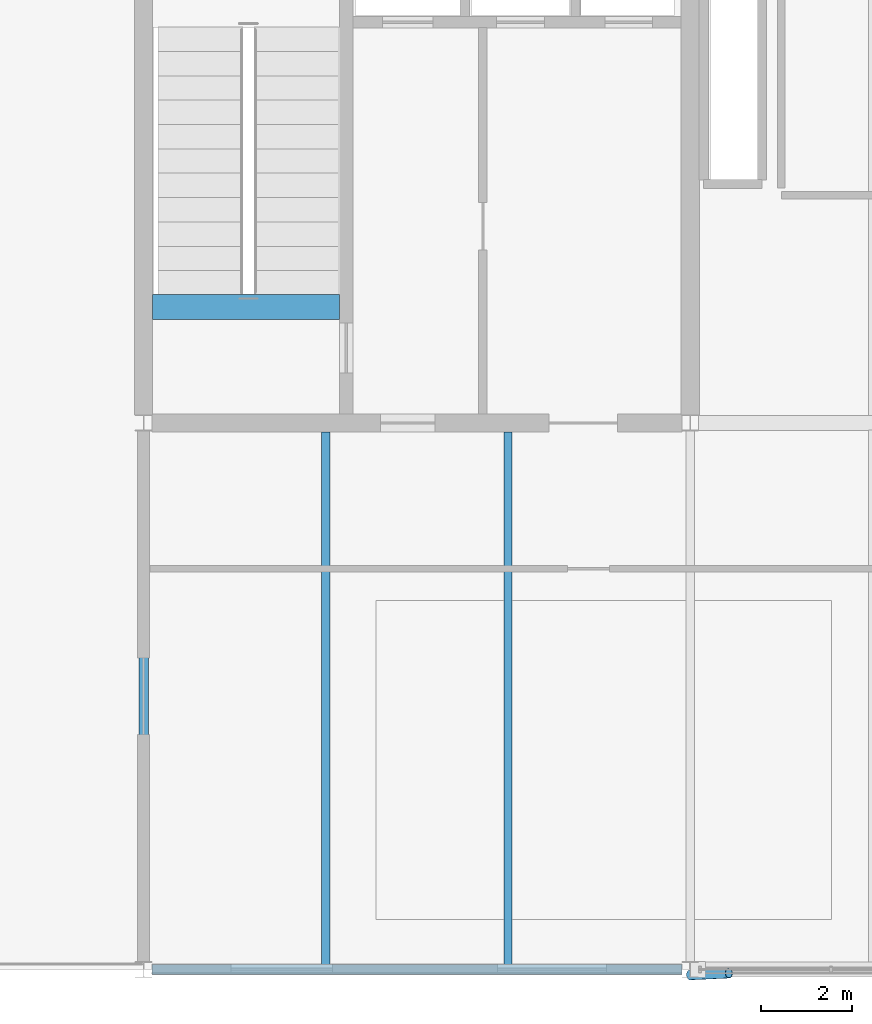
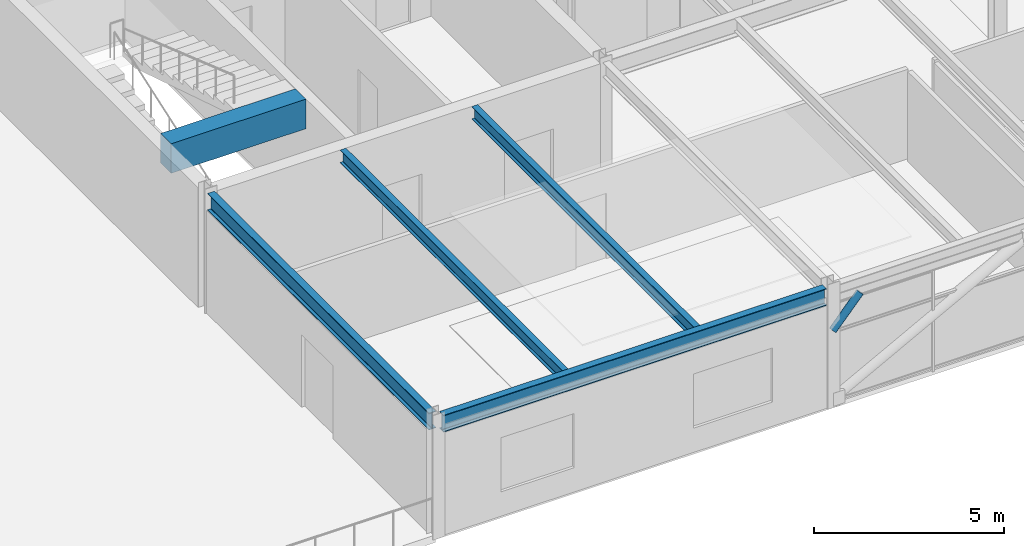
# One storey, part 4 of 32: 5 beams, 1 member.
"""IFC4 building model written with IfcOpenShell, lengths in metres."""

import ifcopenshell
import ifcopenshell.guid

model = None  # the IFC model being written
_history = None  # IfcOwnerHistory: only IFC2X3 demands one
_inside = {}  # id of a spatial element -> (the spatial element, [elements in it])
_under = {}  # id of a project, library or spatial element -> (it, [spatial elements below it])
_declared = {}  # id of a project -> (the project, [libraries it declares])
_typed = {}  # id of a type object -> (the type object, [elements of that type])
_made_of = {}  # id of a material, layer set ... -> (it, [elements and type objects made of it])


def new_model(schema):
    """Start an empty IFC model of exactly this schema.

    Asked for "IFC4X3", IfcOpenShell would pick the latest addendum, in which some entities
    have other attributes; the version numbers below select the first issue.
    IFC2X3 requires an IfcOwnerHistory on every rooted entity: one is made here for all.
    """
    global model, _history
    if schema == "IFC4X3":
        model = ifcopenshell.file(schema_version=(4, 3, 0, 0))
    else:
        model = ifcopenshell.file(schema=schema)
    _inside.clear()
    _under.clear()
    _declared.clear()
    _typed.clear()
    _made_of.clear()
    _history = None
    if model.schema == "IFC2X3":
        org = make("IfcOrganization", Name="unknown")
        user = make(
            "IfcPersonAndOrganization",
            ThePerson=make("IfcPerson", FamilyName="unknown"),
            TheOrganization=org,
        )
        app = make(
            "IfcApplication",
            ApplicationDeveloper=org,
            Version="unknown",
            ApplicationFullName="unknown",
            ApplicationIdentifier="unknown",
        )
        _history = make(
            "IfcOwnerHistory",
            OwningUser=user,
            OwningApplication=app,
            ChangeAction="ADDED",
            CreationDate=0,
        )
    return model


def make(cls, **values):
    """One entity of the class cls with the attributes given. An attribute that is None is left unset."""
    return model.create_entity(
        cls, **{name: value for name, value in values.items() if value is not None}
    )


def rooted(cls, **values):
    """An entity with a GlobalId (a new one), such as an element, a storey or a relation."""
    return make(cls, GlobalId=ifcopenshell.guid.new(), OwnerHistory=_history, **values)


def si_unit(unit_type, name, prefix=None):
    """IfcSIUnit, for example si_unit("LENGTHUNIT", "METRE", prefix="MILLI")."""
    return make("IfcSIUnit", UnitType=unit_type, Prefix=prefix, Name=name)


def assignment(units):
    """IfcUnitAssignment: the units of a project."""
    return None if units is None else make("IfcUnitAssignment", Units=units)


def point(xyz):
    """IfcCartesianPoint."""
    return None if xyz is None else make("IfcCartesianPoint", Coordinates=xyz)


def direction(xyz):
    """IfcDirection."""
    return None if xyz is None else make("IfcDirection", DirectionRatios=xyz)


def frame(location, z_axis=None, x_axis=None):
    """IfcAxis2Placement3D, a coordinate frame: its origin and axes. An axis left out is left unset."""
    return make(
        "IfcAxis2Placement3D",
        Location=point(location),
        Axis=direction(z_axis),
        RefDirection=direction(x_axis),
    )


def frame_2d(location, x_axis=None):
    """IfcAxis2Placement2D, a coordinate frame in the plane: its origin and x axis."""
    return make(
        "IfcAxis2Placement2D", Location=point(location), RefDirection=direction(x_axis)
    )


def origin():
    """The frame at (0, 0, 0) with its axes left unset."""
    return frame((0.0, 0.0, 0.0))


def origin_2d():
    """The frame at (0, 0) in the plane with its x axis left unset."""
    return frame_2d((0.0, 0.0))


def place(relative_to, where):
    """IfcLocalPlacement: puts the frame where relative to a parent placement (None: the world)."""
    return make(
        "IfcLocalPlacement", PlacementRelTo=relative_to, RelativePlacement=where
    )


def context(
    kind, dimensions, precision=None, world=None, true_north=None, identifier=None
):
    """IfcGeometricRepresentationContext, for example the 3D "Model" context."""
    return make(
        "IfcGeometricRepresentationContext",
        ContextIdentifier=identifier,
        ContextType=kind,
        CoordinateSpaceDimension=dimensions,
        Precision=precision,
        WorldCoordinateSystem=world,
        TrueNorth=true_north,
    )


def subcontext(parent, identifier, kind, view, scale=None):
    """IfcGeometricRepresentationSubContext, for example "Body" below "Model"."""
    return make(
        "IfcGeometricRepresentationSubContext",
        ContextIdentifier=identifier,
        ContextType=kind,
        ParentContext=parent,
        TargetScale=scale,
        TargetView=view,
    )


def project(units=None, contexts=None):
    """IfcProject with its units and contexts."""
    return rooted(
        "IfcProject",
        Name="project",
        RepresentationContexts=contexts,
        UnitsInContext=assignment(units),
    )


def spatial(cls, under=None, at=None, **own):
    """A site, building, storey or space (cls), placed at a placement, below another one or the project."""
    s = rooted(cls, ObjectPlacement=at, **own)
    if under is not None:
        _under.setdefault(under.id(), (under, []))[1].append(s)
    return s


def profile(cls, at=None, kind="AREA", **sizes):
    """A parametric profile (cls). Its sizes go by their IFC names, for example OverallWidth=200.0."""
    return make(cls, ProfileType=kind, Position=at, **sizes)


def rectangle(**sizes):
    """IfcRectangleProfileDef."""
    return profile("IfcRectangleProfileDef", **sizes)


def hollow_circle(**sizes):
    """IfcCircleHollowProfileDef."""
    return profile("IfcCircleHollowProfileDef", **sizes)


def i_section(**sizes):
    """IfcIShapeProfileDef."""
    return profile("IfcIShapeProfileDef", **sizes)


def extrude(swept, where, along, depth):
    """IfcExtrudedAreaSolid: the profile swept, set in the frame where, extruded along a direction by depth."""
    return make(
        "IfcExtrudedAreaSolid",
        SweptArea=swept,
        Position=where,
        ExtrudedDirection=direction(along),
        Depth=depth,
    )


def shape(context_of_items, identifier, shape_type, items):
    """IfcShapeRepresentation: the items that make up one representation, for example the "Body"."""
    return make(
        "IfcShapeRepresentation",
        ContextOfItems=context_of_items,
        RepresentationIdentifier=identifier,
        RepresentationType=shape_type,
        Items=items,
    )


def material(Name=None, Category=None):
    """IfcMaterial."""
    return make("IfcMaterial", Name=Name, Category=Category)


def material_profile(
    of_material, cross_section, Name=None, Category=None, Priority=None
):
    """IfcMaterialProfile: a cross section and its material."""
    return make(
        "IfcMaterialProfile",
        Name=Name,
        Material=of_material,
        Profile=cross_section,
        Priority=Priority,
        Category=Category,
    )


def profile_set(profiles, Name=None, composite=None):
    """IfcMaterialProfileSet."""
    return make(
        "IfcMaterialProfileSet",
        Name=Name,
        MaterialProfiles=profiles,
        CompositeProfile=composite,
    )


def made_of(thing, what):
    """Note that an element or type object is made of a material, layer set ...; save() writes the relation."""
    if what is not None:
        _made_of.setdefault(what.id(), (what, []))[1].append(thing)
    return thing


def type_object(cls, material=None, **own):
    """A type object (cls), such as IfcWallType, which elements share."""
    return made_of(rooted(cls, **own), material)


def element(
    cls,
    number,
    at=None,
    inside=None,
    cuts=None,
    type_object=None,
    material=None,
    context=None,
    identifier="Body",
    shape_type=None,
    held_by="IfcProductDefinitionShape",
    body=None,
    shapes=None,
    **own,
):
    """One element of the class cls, such as IfcWall. Its Tag is "e" and its number.

    at: its placement. inside: the storey or other place that contains it. cuts: it is an
    opening in that element (IfcRelVoidsElement). A single representation is given by context,
    identifier, shape_type and body (its items); several are given by shapes. held_by: the class
    of the entity that holds the representations. save() writes the other relations.
    """
    e = rooted(cls, Tag="e%d" % number, ObjectPlacement=at, **own)
    if body is not None:
        shapes = [shape(context, identifier, shape_type, body)]
    if shapes is not None:
        e.Representation = make(held_by, Representations=shapes)
    if inside is not None:
        _inside.setdefault(inside.id(), (inside, []))[1].append(e)
    if cuts is not None:
        rooted(
            "IfcRelVoidsElement", RelatingBuildingElement=cuts, RelatedOpeningElement=e
        )
    if type_object is not None:
        _typed.setdefault(type_object.id(), (type_object, []))[1].append(e)
    return made_of(e, material)


def aggregate(whole, parts):
    """IfcRelAggregates: a whole, such as a stair, and the parts it consists of."""
    return rooted("IfcRelAggregates", RelatingObject=whole, RelatedObjects=parts)


def save(model, path):
    """Write the relations noted so far, then the file.

    IfcRelAggregates (storeys below a building ...), IfcRelContainedInSpatialStructure (elements
    in a storey), IfcRelDefinesByType, IfcRelAssociatesMaterial and IfcRelDeclares: one each for
    every whole, place, type object, material and project.
    """
    for whole, parts in _under.values():
        aggregate(whole, parts)
    for where, things in _inside.values():
        rooted(
            "IfcRelContainedInSpatialStructure",
            RelatedElements=things,
            RelatingStructure=where,
        )
    for kind, things in _typed.values():
        rooted("IfcRelDefinesByType", RelatedObjects=things, RelatingType=kind)
    for what, things in _made_of.values():
        rooted("IfcRelAssociatesMaterial", RelatedObjects=things, RelatingMaterial=what)
    for by, libraries in _declared.values():
        rooted("IfcRelDeclares", RelatingContext=by, RelatedDefinitions=libraries)
    model.write(path)


model = new_model("IFC4")

# Units and contexts
model_context = context("Model", 3, precision=1e-05, world=origin(), true_north=direction((0.0, 1.0)))
body_context = subcontext(model_context, "Body", "Model", "MODEL_VIEW")
ifc_project = project(units=[si_unit("LENGTHUNIT", "METRE"), si_unit("AREAUNIT", "SQUARE_METRE"), si_unit("VOLUMEUNIT", "CUBIC_METRE"), si_unit("PLANEANGLEUNIT", "RADIAN"), si_unit("MASSUNIT", "GRAM", prefix="KILO")], contexts=[model_context])

# Site, building, storey
site_placement = place(None, origin())
site = spatial("IfcSite", under=ifc_project, at=site_placement, CompositionType="ELEMENT")
building_placement = place(site_placement, origin())
building = spatial("IfcBuilding", under=site, at=building_placement, Name="Girod Span Mobility Hub", CompositionType="ELEMENT")
storey_placement = place(building_placement, frame((0.0, 0.0, 61.60009765625)))
storey = spatial("IfcBuildingStorey", under=building, at=storey_placement, Name="L15", CompositionType="ELEMENT", Elevation=61.60009765625)

# Beams
ifc_material_1 = material(Name="Concrete C40/50", Category="concrete")
ifc_material_profile_1 = material_profile(ifc_material_1, rectangle(XDim=0.550048828125, YDim=0.949951171875, at=origin_2d()), Name="RK-550X950")
ifc_profile_set_1 = profile_set([ifc_material_profile_1], Name="Concrete C40/50")
beam_type_1 = type_object("IfcBeamType", Name="BM-RK-550X950", PredefinedType="BEAM", material=ifc_profile_set_1)
beam_1_placement = place(storey_placement, frame((48.197021484375, 59.550048828125, 3.364990234375), z_axis=(1.0, 0.0, 0.0), x_axis=(0.0, 1.0, 0.0)))
element("IfcBeam", 1, at=beam_1_placement, inside=storey, type_object=beam_type_1, Name="Stair ST-1 Landing Header Beam L15", PredefinedType="BEAM", context=body_context, shape_type="SweptSolid", body=[
    extrude(rectangle(XDim=0.550048828125, YDim=0.949951171875, at=origin_2d()), origin(), (0.0, 0.0, 1.0), 4.10595703125),
])
ifc_material_2 = material(Name="Steel A992 Grade 50", Category="steel")
ifc_material_profile_2 = material_profile(ifc_material_2, i_section(OverallWidth=0.178955078125, OverallDepth=0.409912109375, WebThickness=0.0087890625, FlangeThickness=0.014404296875, FilletRadius=0.012939453125, at=origin_2d()), Name="W16X45")
ifc_profile_set_2 = profile_set([ifc_material_profile_2], Name="Steel A992 Grade 50")
beam_type_2 = type_object("IfcBeamType", Name="BM-STL-W16X45", PredefinedType="BEAM", material=ifc_profile_set_2)
for number, where, z_axis, x_axis, name in (
    (2, (52.0, 45.10302734375, 3.635009765625), (0.0, 1.0, 0.0), (-1.0, 0.0, 0.0), "Composite Floorbeam 5/D-1 L15"),
    (3, (56.0, 45.10302734375, 3.635009765625), (0.0, 1.0, 0.0), (-1.0, 0.0, 0.0), "Composite Floorbeam 5/D-2 L15"),
):
    element("IfcBeam", number, at=place(storey_placement, frame(where, z_axis=z_axis, x_axis=x_axis)), inside=storey, type_object=beam_type_2, Name=name, PredefinedType="BEAM", context=body_context, shape_type="SweptSolid", body=[
        extrude(i_section(OverallWidth=0.178955078125, OverallDepth=0.409912109375, WebThickness=0.0087890625, FlangeThickness=0.014404296875, FilletRadius=0.012939453125, at=origin_2d()), origin(), (0.0, 0.0, 1.0), 11.699951171875),
    ])
ifc_material_3 = material(Name="Steel A992 Grade 50", Category="steel")
ifc_material_profile_3 = material_profile(ifc_material_3, i_section(OverallWidth=0.2119140625, OverallDepth=0.5439453125, WebThickness=0.01318359375, FlangeThickness=0.021240234375, FilletRadius=0.014892578125, at=origin_2d()), Name="W21X83")
ifc_profile_set_3 = profile_set([ifc_material_profile_3], Name="Steel A992 Grade 50")
beam_type_3 = type_object("IfcBeamType", Name="BM-STL-W21X83", PredefinedType="SPANDREL", material=ifc_profile_set_3)
beam_2_placement = place(storey_placement, frame((48.181396484375, 45.0, 3.56787109375), z_axis=(1.0, 0.0, 0.0), x_axis=(0.0, 1.0, 0.0)))
element("IfcBeam", 4, at=beam_2_placement, inside=storey, type_object=beam_type_3, Name="Girder 5-6/D L15", PredefinedType="SPANDREL", context=body_context, shape_type="SweptSolid", body=[
    extrude(i_section(OverallWidth=0.2119140625, OverallDepth=0.5439453125, WebThickness=0.01318359375, FlangeThickness=0.021240234375, FilletRadius=0.014892578125, at=origin_2d()), origin(), (0.0, 0.0, 1.0), 11.63720703125),
])
beam_3_placement = place(storey_placement, frame((48.0, 45.175048828125, 3.56787109375), z_axis=(0.0, 1.0, 0.0), x_axis=(-1.0, 0.0, 0.0)))
element("IfcBeam", 5, at=beam_3_placement, inside=storey, type_object=beam_type_3, Name="Tie Girder 5/D-E L15", PredefinedType="SPANDREL", context=body_context, shape_type="SweptSolid", body=[
    extrude(i_section(OverallWidth=0.2119140625, OverallDepth=0.5439453125, WebThickness=0.01318359375, FlangeThickness=0.021240234375, FilletRadius=0.014892578125, at=origin_2d()), origin(), (0.0, 0.0, 1.0), 11.64990234375),
])

# Member
ifc_material_4 = material(Name="Steel HSS A500 Grade C", Category="steel")
ifc_material_profile_4 = material_profile(ifc_material_4, hollow_circle(Radius=0.109619140625, WallThickness=0.0087890625, at=origin_2d()), Name="HSS219X9.5")
ifc_profile_set_4 = profile_set([ifc_material_profile_4], Name="Steel HSS A500 Grade C")
member_type = type_object("IfcMemberType", Name="MB-ST-HSS219", PredefinedType="STRUT", material=ifc_profile_set_4)
member_placement = place(storey_placement, frame((60.0, 44.8798828125, 2.449951171875), z_axis=(0.682328784125, 0.032137254623, 0.73033870719), x_axis=(-0.047047213483, 0.998892666758, 0.0)))
element("IfcMember", 6, at=member_placement, inside=storey, type_object=member_type, Name="Solar Shading Knee Strut 6 L15", PredefinedType="STRUT", context=body_context, shape_type="SweptSolid", body=[
    extrude(hollow_circle(Radius=0.109619140625, WallThickness=0.0087890625, at=origin_2d()), origin(), (0.0, 0.0, 1.0), 1.245849609375),
])

save(model, "model.ifc")
